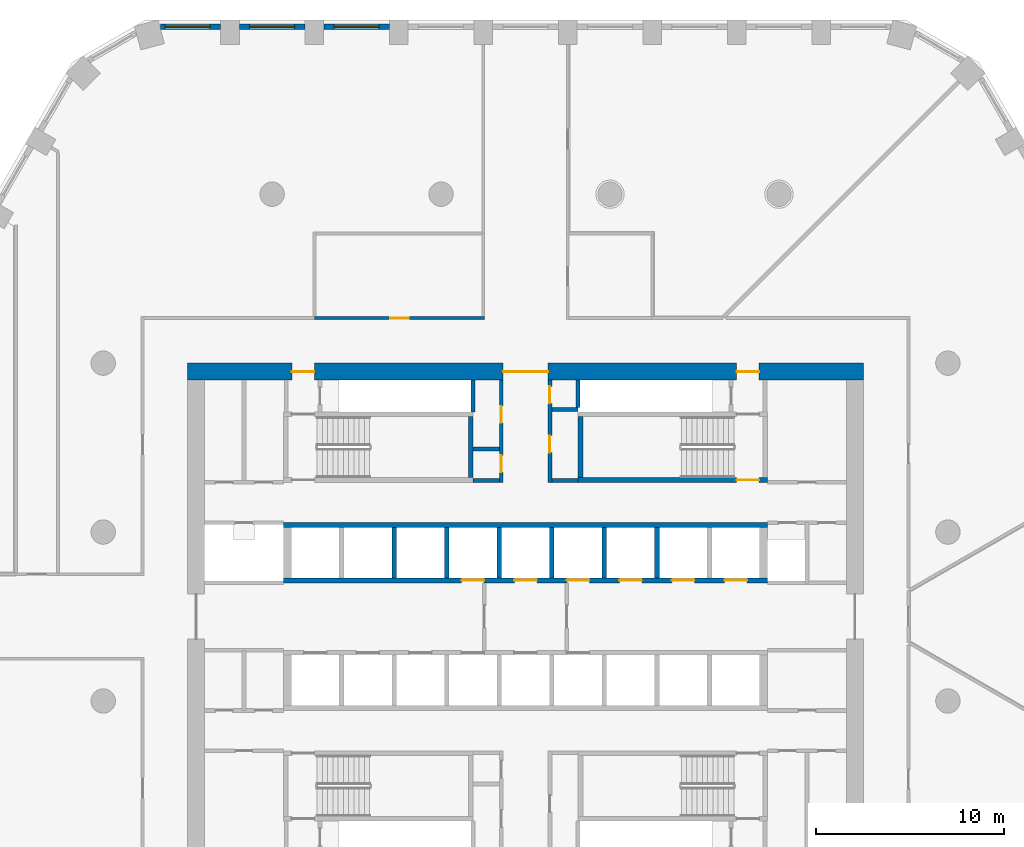
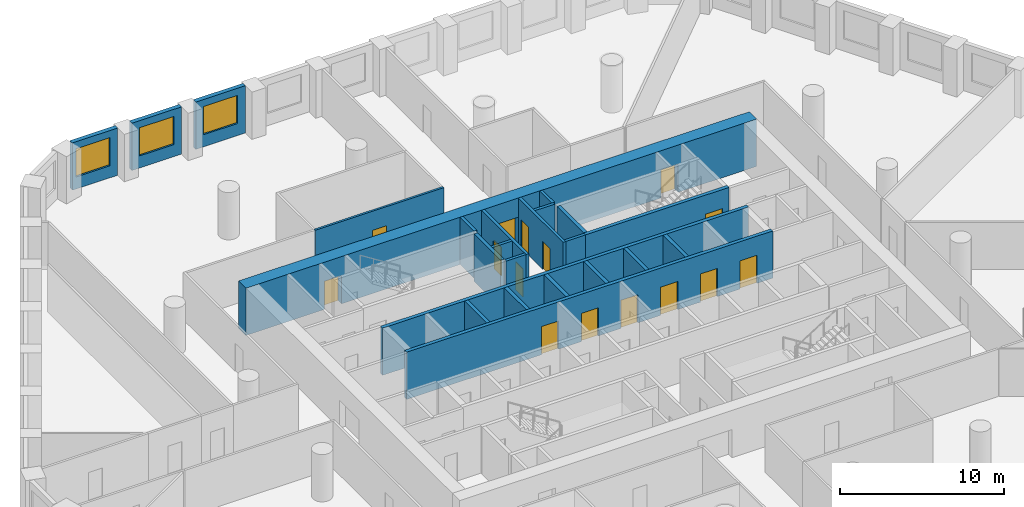
# One storey, part 6 of 14: 24 walls, 15 doors, 3 windows, 18 openings.
"""IFC4 building model written with IfcOpenShell, lengths in metres."""

from ifc_helpers import new_model, si_unit, direction, frame, frame_2d, origin, place, context, subcontext, project, spatial, polyline, rectangle, outline, extrude, material, layer, layer_set, type_object, element, fill, save


model = new_model("IFC4")

# Units and contexts
model_context = context("Model", 3, precision=1e-05, world=origin(), true_north=direction((0.0, 1.0)))
body_context = subcontext(model_context, "Body", "Model", "MODEL_VIEW")
ifc_project = project(units=[si_unit("LENGTHUNIT", "METRE"), si_unit("AREAUNIT", "SQUARE_METRE"), si_unit("VOLUMEUNIT", "CUBIC_METRE"), si_unit("PLANEANGLEUNIT", "RADIAN"), si_unit("MASSUNIT", "GRAM", prefix="KILO")], contexts=[model_context])

# Site, building, storey
site_placement = place(None, origin())
site = spatial("IfcSite", under=ifc_project, at=site_placement, CompositionType="ELEMENT")
building_placement = place(site_placement, origin())
building = spatial("IfcBuilding", under=site, at=building_placement, Name="Dhurran Vertical Campus", CompositionType="ELEMENT")
storey_placement = place(building_placement, frame((0.0, 0.0, 100.800048828125)))
storey = spatial("IfcBuildingStorey", under=building, at=storey_placement, Name="L24", CompositionType="ELEMENT", Elevation=100.800048828125)

# Wall, opening, window
ifc_material_1 = material(Name="Precast concrete C50/60", Category="concrete")
ifc_layer_1 = layer(ifc_material_1, 0.300048828125)
ifc_layer_set_1 = layer_set([ifc_layer_1], Name="Precast concrete C50/60")
wall_type_1 = type_object("IfcWallType", Name="Precast spandrel wall 300", PredefinedType="SOLIDWALL", material=ifc_layer_set_1)
wall_1_placement = place(storey_placement, frame((-7.25048828125, 31.4296875, 0.0), z_axis=(0.0, 0.0, 1.0), x_axis=(-1.0, 0.0, 0.0)))
wall_1 = element("IfcWall", 1, at=wall_1_placement, inside=storey, type_object=wall_type_1, Name="EW1 L24.32", PredefinedType="SOLIDWALL", context=body_context, shape_type="SweptSolid", body=[
    extrude(rectangle(XDim=3.4990234375, YDim=0.300048828125, at=frame_2d((1.74951171875, 0.0))), origin(), (0.0, 0.0, 1.0), 3.52490234375),
])
opening_1_placement = place(wall_1_placement, frame((0.549560546875, 0.0, 0.89990234375)))
opening_1 = element("IfcOpeningElement", 2, at=opening_1_placement, cuts=wall_1, Name="Opening WT1", PredefinedType="OPENING", context=body_context, shape_type="SweptSolid", body=[
    extrude(rectangle(XDim=2.39990234375, YDim=2.10009765625, at=frame_2d((1.199951171875, 1.050048828125))), frame((0.0, 0.159912109375, 0.0), z_axis=(0.0, -1.0, 0.0), x_axis=(1.0, 0.0, 0.0)), (0.0, 0.0, 1.0), 0.320068359375),
])
ifc_material_2 = material(Name="Aluminium frame with solar-control glass", Category="aluminium")
window_type = type_object("IfcWindowType", Name="Punched window 2400 x 2100", PartitioningType="SINGLE_PANEL", PredefinedType="WINDOW", material=ifc_material_2)
window_1_placement = place(opening_1_placement, origin())
window_1 = element("IfcWindow", 3, at=window_1_placement, inside=storey, type_object=window_type, Name="WT1 L24.32", OverallHeight=2.10009765625, OverallWidth=2.39990234375, PartitioningType="SINGLE_PANEL", PredefinedType="WINDOW", context=body_context, shape_type="SweptSolid", body=[
    extrude(rectangle(XDim=2.39990234375, YDim=2.10009765625, at=frame_2d((1.199951171875, 1.050048828125))), frame((0.0, 0.030029296875, 0.0), z_axis=(0.0, -1.0, 0.0), x_axis=(1.0, 0.0, 0.0)), (0.0, 0.0, 1.0), 0.06005859375),
])
fill(opening_1, window_1)

wall_2_placement = place(storey_placement, frame((-11.75048828125, 31.4296875, 0.0), z_axis=(0.0, 0.0, 1.0), x_axis=(-1.0, 0.0, 0.0)))
wall_2 = element("IfcWall", 4, at=wall_2_placement, inside=storey, type_object=wall_type_1, Name="EW1 L24.33", PredefinedType="SOLIDWALL", context=body_context, shape_type="SweptSolid", body=[
    extrude(rectangle(XDim=3.4990234375, YDim=0.300048828125, at=frame_2d((1.74951171875, 0.0))), origin(), (0.0, 0.0, 1.0), 3.52490234375),
])
opening_2_placement = place(wall_2_placement, frame((0.549560546875, 0.0, 0.89990234375)))
opening_2 = element("IfcOpeningElement", 5, at=opening_2_placement, cuts=wall_2, Name="Opening WT1", PredefinedType="OPENING", context=body_context, shape_type="SweptSolid", body=[
    extrude(rectangle(XDim=2.39990234375, YDim=2.10009765625, at=frame_2d((1.199951171875, 1.050048828125))), frame((0.0, 0.159912109375, 0.0), z_axis=(0.0, -1.0, 0.0), x_axis=(1.0, 0.0, 0.0)), (0.0, 0.0, 1.0), 0.320068359375),
])
window_2_placement = place(opening_2_placement, origin())
window_2 = element("IfcWindow", 6, at=window_2_placement, inside=storey, type_object=window_type, Name="WT1 L24.33", OverallHeight=2.10009765625, OverallWidth=2.39990234375, PartitioningType="SINGLE_PANEL", PredefinedType="WINDOW", context=body_context, shape_type="SweptSolid", body=[
    extrude(rectangle(XDim=2.39990234375, YDim=2.10009765625, at=frame_2d((1.199951171875, 1.050048828125))), frame((0.0, 0.030029296875, 0.0), z_axis=(0.0, -1.0, 0.0), x_axis=(1.0, 0.0, 0.0)), (0.0, 0.0, 1.0), 0.06005859375),
])
fill(opening_2, window_2)

wall_3_placement = place(storey_placement, frame((-16.25048828125, 31.4296875, 0.0), z_axis=(0.0, 0.0, 1.0), x_axis=(-1.0, 0.0, 0.0)))
wall_3 = element("IfcWall", 7, at=wall_3_placement, inside=storey, type_object=wall_type_1, Name="EW1 L24.34", PredefinedType="SOLIDWALL", context=body_context, shape_type="SweptSolid", body=[
    extrude(rectangle(XDim=3.1923828125, YDim=0.300048828125, at=frame_2d((1.59619140625, 0.0))), origin(), (0.0, 0.0, 1.0), 3.52490234375),
])
opening_3_placement = place(wall_3_placement, frame((0.549560546875, 0.0, 0.89990234375)))
opening_3 = element("IfcOpeningElement", 8, at=opening_3_placement, cuts=wall_3, Name="Opening WT1", PredefinedType="OPENING", context=body_context, shape_type="SweptSolid", body=[
    extrude(rectangle(XDim=2.39990234375, YDim=2.10009765625, at=frame_2d((1.199951171875, 1.050048828125))), frame((0.0, 0.159912109375, 0.0), z_axis=(0.0, -1.0, 0.0), x_axis=(1.0, 0.0, 0.0)), (0.0, 0.0, 1.0), 0.320068359375),
])
window_3_placement = place(opening_3_placement, origin())
window_3 = element("IfcWindow", 9, at=window_3_placement, inside=storey, type_object=window_type, Name="WT1 L24.34", OverallHeight=2.10009765625, OverallWidth=2.39990234375, PartitioningType="SINGLE_PANEL", PredefinedType="WINDOW", context=body_context, shape_type="SweptSolid", body=[
    extrude(rectangle(XDim=2.39990234375, YDim=2.10009765625, at=frame_2d((1.199951171875, 1.050048828125))), frame((0.0, 0.030029296875, 0.0), z_axis=(0.0, -1.0, 0.0), x_axis=(1.0, 0.0, 0.0)), (0.0, 0.0, 1.0), 0.06005859375),
])
fill(opening_3, window_3)

# Wall, openings, doors
ifc_material_3 = material(Name="Concrete C60/75", Category="concrete")
ifc_layer_2 = layer(ifc_material_3, 0.89990234375)
ifc_layer_set_2 = layer_set([ifc_layer_2], Name="Concrete C60/75")
wall_type_2 = type_object("IfcWallType", Name="co-CORE-WALL-C0-900", PredefinedType="SHEAR", material=ifc_layer_set_2)
wall_4_placement = place(storey_placement, frame((-18.0, 13.050048828125, 0.0), z_axis=(0.0, 0.0, 1.0), x_axis=(1.0, 0.0, 0.0)))
wall_4 = element("IfcWall", 10, at=wall_4_placement, inside=storey, type_object=wall_type_2, Name="Core wall N L24", PredefinedType="SHEAR", context=body_context, shape_type="SweptSolid", body=[
    extrude(rectangle(XDim=36.0, YDim=0.89990234375, at=frame_2d((18.0, 0.0))), origin(), (0.0, 0.0, 1.0), 3.52490234375),
])
opening_4_placement = place(wall_4_placement, frame((16.800048828125, 0.0, 0.0)))
opening_4 = element("IfcOpeningElement", 11, at=opening_4_placement, cuts=wall_4, Name="Opening CV1", PredefinedType="OPENING", context=body_context, shape_type="SweptSolid", body=[
    extrude(rectangle(XDim=2.39990234375, YDim=2.10009765625, at=frame_2d((1.199951171875, 1.050048828125))), frame((0.0, 0.4599609375, 0.0), z_axis=(0.0, -1.0, 0.0), x_axis=(1.0, 0.0, 0.0)), (0.0, 0.0, 1.0), 0.919921875),
])
opening_5_placement = place(wall_4_placement, frame((5.550048828125, 0.0, 0.0)))
opening_5 = element("IfcOpeningElement", 12, at=opening_5_placement, cuts=wall_4, Name="Opening XD1", PredefinedType="OPENING", context=body_context, shape_type="SweptSolid", body=[
    extrude(rectangle(XDim=1.199951171875, YDim=2.10009765625, at=frame_2d((0.60009765625, 1.050048828125))), frame((0.0, 0.4599609375, 0.0), z_axis=(0.0, -1.0, 0.0), x_axis=(1.0, 0.0, 0.0)), (0.0, 0.0, 1.0), 0.919921875),
])
opening_6_placement = place(wall_4_placement, frame((29.25, 0.0, 0.0)))
opening_6 = element("IfcOpeningElement", 13, at=opening_6_placement, cuts=wall_4, Name="Opening XD2", PredefinedType="OPENING", context=body_context, shape_type="SweptSolid", body=[
    extrude(rectangle(XDim=1.199951171875, YDim=2.10009765625, at=frame_2d((0.60009765625, 1.050048828125))), frame((0.0, 0.4599609375, 0.0), z_axis=(0.0, -1.0, 0.0), x_axis=(1.0, 0.0, 0.0)), (0.0, 0.0, 1.0), 0.919921875),
])
ifc_material_4 = material(Name="Fire-rated glazed door set")
door_type_1 = type_object("IfcDoorType", Name="co-D-LOBBY 2400x2100", OperationType="DOUBLE_DOOR_DOUBLE_SWING", PredefinedType="DOOR", material=ifc_material_4)
door_1_placement = place(opening_4_placement, origin())
door_1 = element("IfcDoor", 14, at=door_1_placement, inside=storey, type_object=door_type_1, Name="Core vestibule door N L24", OperationType="DOUBLE_DOOR_DOUBLE_SWING", OverallHeight=2.10009765625, OverallWidth=2.39990234375, PredefinedType="DOOR", context=body_context, shape_type="SweptSolid", body=[
    extrude(rectangle(XDim=2.39990234375, YDim=2.10009765625, at=frame_2d((1.199951171875, 1.050048828125))), frame((0.0, 0.02490234375, 0.0), z_axis=(0.0, -1.0, 0.0), x_axis=(1.0, 0.0, 0.0)), (0.0, 0.0, 1.0), 0.050048828125),
])
fill(opening_4, door_1)
ifc_material_5 = material(Name="Fire-rated steel door set", Category="steel")
door_type_2 = type_object("IfcDoorType", Name="co-D-STAIR-EXIT 1200x2100", OperationType="SINGLE_SWING_RIGHT", PredefinedType="DOOR", material=ifc_material_5)
door_2_placement = place(opening_5_placement, origin())
door_2 = element("IfcDoor", 15, at=door_2_placement, inside=storey, type_object=door_type_2, Name="Stair ST1 exit door L24", OperationType="SINGLE_SWING_RIGHT", OverallHeight=2.10009765625, OverallWidth=1.199951171875, PredefinedType="DOOR", context=body_context, shape_type="SweptSolid", body=[
    extrude(rectangle(XDim=1.199951171875, YDim=2.10009765625, at=frame_2d((0.60009765625, 1.050048828125))), frame((0.0, 0.02490234375, 0.0), z_axis=(0.0, -1.0, 0.0), x_axis=(1.0, 0.0, 0.0)), (0.0, 0.0, 1.0), 0.050048828125),
])
fill(opening_5, door_2)
door_3_placement = place(opening_6_placement, origin())
door_3 = element("IfcDoor", 16, at=door_3_placement, inside=storey, type_object=door_type_2, Name="Stair ST2 exit door L24", OperationType="SINGLE_SWING_RIGHT", OverallHeight=2.10009765625, OverallWidth=1.199951171875, PredefinedType="DOOR", context=body_context, shape_type="SweptSolid", body=[
    extrude(rectangle(XDim=1.199951171875, YDim=2.10009765625, at=frame_2d((0.60009765625, 1.050048828125))), frame((0.0, 0.02490234375, 0.0), z_axis=(0.0, -1.0, 0.0), x_axis=(1.0, 0.0, 0.0)), (0.0, 0.0, 1.0), 0.050048828125),
])
fill(opening_6, door_3)

# Walls
ifc_material_6 = material(Name="Fire-rated masonry blockwork", Category="masonry")
ifc_layer_3 = layer(ifc_material_6, 0.199951171875)
ifc_layer_set_3 = layer_set([ifc_layer_3], Name="Fire-rated masonry blockwork")
wall_type_3 = type_object("IfcWallType", Name="co-FIRE-PARTITION-200", PredefinedType="PARTITIONING", material=ifc_layer_set_3)
for number, where, z_axis, x_axis, name in (
    (17, (-2.800048828125, 7.25, 0.0), (0.0, 0.0, 1.0), (1.0, 0.0, 0.0), "Core partition sl-NW-S L24"),
    (18, (-2.800048828125, 8.925048828125, 0.0), (0.0, 0.0, 1.0), (1.0, 0.0, 0.0), "Core partition sl-NW-cut0 L24"),
    (19, (1.39990234375, 7.25, 0.0), (0.0, 0.0, 1.0), (1.0, 0.0, 0.0), "Core partition sl-NE-S L24"),
    (20, (1.39990234375, 11.02490234375, 0.0), (0.0, 0.0, 1.0), (1.0, 0.0, 0.0), "Core partition sl-NE-cut0 L24"),
):
    element("IfcWall", number, at=place(storey_placement, frame(where, z_axis=z_axis, x_axis=x_axis)), inside=storey, type_object=wall_type_3, Name=name, PredefinedType="PARTITIONING", context=body_context, shape_type="SweptSolid", body=[
        extrude(rectangle(XDim=1.400146484375, YDim=0.199951171875, at=frame_2d((0.7001953125, 0.0))), origin(), (0.0, 0.0, 1.0), 3.52490234375),
    ])

# Wall, openings, doors
wall_5_placement = place(storey_placement, frame((-1.300048828125, 7.14990234375, 0.0), z_axis=(0.0, 0.0, 1.0), x_axis=(0.0, 1.0, 0.0)))
wall_5 = element("IfcWall", 21, at=wall_5_placement, inside=storey, type_object=wall_type_3, Name="Core partition vest-NW L24", PredefinedType="PARTITIONING", context=body_context, shape_type="SweptSolid", body=[
    extrude(rectangle(XDim=5.4501953125, YDim=0.199951171875, at=frame_2d((2.72509765625, 0.0))), origin(), (0.0, 0.0, 1.0), 3.52490234375),
])
opening_7_placement = place(wall_5_placement, frame((0.53759765625, 0.0, 0.0)))
opening_7 = element("IfcOpeningElement", 22, at=opening_7_placement, cuts=wall_5, Name="Opening T06-C4", PredefinedType="OPENING", context=body_context, shape_type="SweptSolid", body=[
    extrude(rectangle(XDim=0.89990234375, YDim=2.10009765625, at=frame_2d((0.449951171875, 1.050048828125))), frame((0.0, 0.10986328125, 0.0), z_axis=(0.0, -1.0, 0.0), x_axis=(1.0, 0.0, 0.0)), (0.0, 0.0, 1.0), 0.219970703125),
])
opening_8_placement = place(wall_5_placement, frame((3.16259765625, 0.0, 0.0)))
opening_8 = element("IfcOpeningElement", 23, at=opening_8_placement, cuts=wall_5, Name="Opening T06-C5", PredefinedType="OPENING", context=body_context, shape_type="SweptSolid", body=[
    extrude(rectangle(XDim=0.89990234375, YDim=2.10009765625, at=frame_2d((0.449951171875, 1.050048828125))), frame((0.0, 0.10986328125, 0.0), z_axis=(0.0, -1.0, 0.0), x_axis=(1.0, 0.0, 0.0)), (0.0, 0.0, 1.0), 0.219970703125),
])
ifc_material_7 = material(Name="Fire-rated timber door set", Category="wood")
door_type_3 = type_object("IfcDoorType", Name="co-D-ROOM 900x2100", OperationType="SINGLE_SWING_LEFT", PredefinedType="DOOR", material=ifc_material_7)
door_4_placement = place(opening_7_placement, origin())
door_4 = element("IfcDoor", 24, at=door_4_placement, inside=storey, type_object=door_type_3, Name="Pantry door L24", OperationType="SINGLE_SWING_LEFT", OverallHeight=2.10009765625, OverallWidth=0.89990234375, PredefinedType="DOOR", context=body_context, shape_type="SweptSolid", body=[
    extrude(rectangle(XDim=0.89990234375, YDim=2.10009765625, at=frame_2d((0.449951171875, 1.050048828125))), frame((0.0, 0.02490234375, 0.0), z_axis=(0.0, -1.0, 0.0), x_axis=(1.0, 0.0, 0.0)), (0.0, 0.0, 1.0), 0.050048828125),
])
fill(opening_7, door_4)
door_5_placement = place(opening_8_placement, origin())
door_5 = element("IfcDoor", 25, at=door_5_placement, inside=storey, type_object=door_type_3, Name="Store door L24", OperationType="SINGLE_SWING_LEFT", OverallHeight=2.10009765625, OverallWidth=0.89990234375, PredefinedType="DOOR", context=body_context, shape_type="SweptSolid", body=[
    extrude(rectangle(XDim=0.89990234375, YDim=2.10009765625, at=frame_2d((0.449951171875, 1.050048828125))), frame((0.0, 0.02490234375, 0.0), z_axis=(0.0, -1.0, 0.0), x_axis=(1.0, 0.0, 0.0)), (0.0, 0.0, 1.0), 0.050048828125),
])
fill(opening_8, door_5)

wall_6_placement = place(storey_placement, frame((1.300048828125, 7.14990234375, 0.0), z_axis=(0.0, 0.0, 1.0), x_axis=(0.0, 1.0, 0.0)))
wall_6 = element("IfcWall", 26, at=wall_6_placement, inside=storey, type_object=wall_type_3, Name="Core partition vest-NE L24", PredefinedType="PARTITIONING", context=body_context, shape_type="SweptSolid", body=[
    extrude(rectangle(XDim=5.4501953125, YDim=0.199951171875, at=frame_2d((2.72509765625, 0.0))), origin(), (0.0, 0.0, 1.0), 3.52490234375),
])
opening_9_placement = place(wall_6_placement, frame((1.58740234375, 0.0, 0.0)))
opening_9 = element("IfcOpeningElement", 27, at=opening_9_placement, cuts=wall_6, Name="Opening T06-C6", PredefinedType="OPENING", context=body_context, shape_type="SweptSolid", body=[
    extrude(rectangle(XDim=0.89990234375, YDim=2.10009765625, at=frame_2d((0.449951171875, 1.050048828125))), frame((0.0, 0.10986328125, 0.0), z_axis=(0.0, -1.0, 0.0), x_axis=(1.0, 0.0, 0.0)), (0.0, 0.0, 1.0), 0.219970703125),
])
opening_10_placement = place(wall_6_placement, frame((4.21240234375, 0.0, 0.0)))
opening_10 = element("IfcOpeningElement", 28, at=opening_10_placement, cuts=wall_6, Name="Opening T06-C7", PredefinedType="OPENING", context=body_context, shape_type="SweptSolid", body=[
    extrude(rectangle(XDim=0.89990234375, YDim=2.10009765625, at=frame_2d((0.449951171875, 1.050048828125))), frame((0.0, 0.10986328125, 0.0), z_axis=(0.0, -1.0, 0.0), x_axis=(1.0, 0.0, 0.0)), (0.0, 0.0, 1.0), 0.219970703125),
])
door_6_placement = place(opening_9_placement, origin())
door_6 = element("IfcDoor", 29, at=door_6_placement, inside=storey, type_object=door_type_3, Name="Communications room door L24", OperationType="SINGLE_SWING_LEFT", OverallHeight=2.10009765625, OverallWidth=0.89990234375, PredefinedType="DOOR", context=body_context, shape_type="SweptSolid", body=[
    extrude(rectangle(XDim=0.89990234375, YDim=2.10009765625, at=frame_2d((0.449951171875, 1.050048828125))), frame((0.0, 0.02490234375, 0.0), z_axis=(0.0, -1.0, 0.0), x_axis=(1.0, 0.0, 0.0)), (0.0, 0.0, 1.0), 0.050048828125),
])
fill(opening_9, door_6)
door_7_placement = place(opening_10_placement, origin())
door_7 = element("IfcDoor", 30, at=door_7_placement, inside=storey, type_object=door_type_3, Name="Plant room door L24", OperationType="SINGLE_SWING_LEFT", OverallHeight=2.10009765625, OverallWidth=0.89990234375, PredefinedType="DOOR", context=body_context, shape_type="SweptSolid", body=[
    extrude(rectangle(XDim=0.89990234375, YDim=2.10009765625, at=frame_2d((0.449951171875, 1.050048828125))), frame((0.0, 0.02490234375, 0.0), z_axis=(0.0, -1.0, 0.0), x_axis=(1.0, 0.0, 0.0)), (0.0, 0.0, 1.0), 0.050048828125),
])
fill(opening_10, door_7)

# Walls
wall_7_placement = place(storey_placement, frame((-2.800048828125, 10.90087890625, 0.0), z_axis=(0.0, 0.0, 1.0), x_axis=(0.0, 1.0, 0.0)))
element("IfcWall", 31, at=wall_7_placement, inside=storey, type_object=wall_type_3, Name="Riser enclosure wall L24", PredefinedType="PARTITIONING", context=body_context, shape_type="SweptSolid", body=[
    extrude(rectangle(XDim=1.6982421875, YDim=0.199951171875, at=frame_2d((0.84912109375, 0.0))), origin(), (0.0, 0.0, 1.0), 3.52490234375),
])
wall_8_placement = place(storey_placement, frame((2.800048828125, 12.59912109375, 0.0), z_axis=(0.0, 0.0, 1.0), x_axis=(0.0, -1.0, 0.0)))
element("IfcWall", 32, at=wall_8_placement, inside=storey, type_object=wall_type_3, Name="Riser enclosure wall L24", PredefinedType="PARTITIONING", context=body_context, shape_type="SweptSolid", body=[
    extrude(rectangle(XDim=1.47314453125, YDim=0.199951171875, at=frame_2d((0.736572265625, 0.0))), origin(), (0.0, 0.0, 1.0), 3.52490234375),
])

# Wall, openings, doors
ifc_material_8 = material(Name="Concrete C50/60", Category="concrete")
ifc_layer_4 = layer(ifc_material_8, 0.25)
ifc_layer_set_4 = layer_set([ifc_layer_4], Name="Concrete C50/60")
wall_type_4 = type_object("IfcWallType", Name="co-SHAFT-FRONT-250", PredefinedType="SHEAR", material=ifc_layer_set_4)
wall_9_placement = place(storey_placement, frame((-12.89990234375, 1.925048828125, 0.0), z_axis=(0.0, 0.0, 1.0), x_axis=(1.0, 0.0, 0.0)))
wall_9 = element("IfcWall", 33, at=wall_9_placement, inside=storey, type_object=wall_type_4, Name="Lift landing wall N L24", PredefinedType="SHEAR", context=body_context, shape_type="SweptSolid", body=[
    extrude(rectangle(XDim=25.7998046875, YDim=0.25, at=frame_2d((12.89990234375, 0.0))), origin(), (0.0, 0.0, 1.0), 3.52490234375),
])
opening_11_placement = place(wall_9_placement, frame((9.5, 0.0, 0.0)))
opening_11 = element("IfcOpeningElement", 34, at=opening_11_placement, cuts=wall_9, Name="Opening LD", PredefinedType="OPENING", context=body_context, shape_type="SweptSolid", body=[
    extrude(rectangle(XDim=1.199951171875, YDim=2.10009765625, at=frame_2d((0.60009765625, 1.050048828125))), frame((0.0, 0.135009765625, 0.0), z_axis=(0.0, -1.0, 0.0), x_axis=(1.0, 0.0, 0.0)), (0.0, 0.0, 1.0), 0.27001953125),
])
opening_12_placement = place(wall_9_placement, frame((12.300048828125, 0.0, 0.0)))
opening_12 = element("IfcOpeningElement", 35, at=opening_12_placement, cuts=wall_9, Name="Opening LD", PredefinedType="OPENING", context=body_context, shape_type="SweptSolid", body=[
    extrude(rectangle(XDim=1.199951171875, YDim=2.10009765625, at=frame_2d((0.60009765625, 1.050048828125))), frame((0.0, 0.135009765625, 0.0), z_axis=(0.0, -1.0, 0.0), x_axis=(1.0, 0.0, 0.0)), (0.0, 0.0, 1.0), 0.27001953125),
])
opening_13_placement = place(wall_9_placement, frame((15.10009765625, 0.0, 0.0)))
opening_13 = element("IfcOpeningElement", 36, at=opening_13_placement, cuts=wall_9, Name="Opening LD", PredefinedType="OPENING", context=body_context, shape_type="SweptSolid", body=[
    extrude(rectangle(XDim=1.199951171875, YDim=2.10009765625, at=frame_2d((0.60009765625, 1.050048828125))), frame((0.0, 0.135009765625, 0.0), z_axis=(0.0, -1.0, 0.0), x_axis=(1.0, 0.0, 0.0)), (0.0, 0.0, 1.0), 0.27001953125),
])
opening_14_placement = place(wall_9_placement, frame((17.89990234375, 0.0, 0.0)))
opening_14 = element("IfcOpeningElement", 37, at=opening_14_placement, cuts=wall_9, Name="Opening LD", PredefinedType="OPENING", context=body_context, shape_type="SweptSolid", body=[
    extrude(rectangle(XDim=1.199951171875, YDim=2.10009765625, at=frame_2d((0.60009765625, 1.050048828125))), frame((0.0, 0.135009765625, 0.0), z_axis=(0.0, -1.0, 0.0), x_axis=(1.0, 0.0, 0.0)), (0.0, 0.0, 1.0), 0.27001953125),
])
opening_15_placement = place(wall_9_placement, frame((20.699951171875, 0.0, 0.0)))
opening_15 = element("IfcOpeningElement", 38, at=opening_15_placement, cuts=wall_9, Name="Opening LD", PredefinedType="OPENING", context=body_context, shape_type="SweptSolid", body=[
    extrude(rectangle(XDim=1.199951171875, YDim=2.10009765625, at=frame_2d((0.60009765625, 1.050048828125))), frame((0.0, 0.135009765625, 0.0), z_axis=(0.0, -1.0, 0.0), x_axis=(1.0, 0.0, 0.0)), (0.0, 0.0, 1.0), 0.27001953125),
])
opening_16_placement = place(wall_9_placement, frame((23.5, 0.0, 0.0)))
opening_16 = element("IfcOpeningElement", 39, at=opening_16_placement, cuts=wall_9, Name="Opening LD", PredefinedType="OPENING", context=body_context, shape_type="SweptSolid", body=[
    extrude(rectangle(XDim=1.199951171875, YDim=2.10009765625, at=frame_2d((0.60009765625, 1.050048828125))), frame((0.0, 0.135009765625, 0.0), z_axis=(0.0, -1.0, 0.0), x_axis=(1.0, 0.0, 0.0)), (0.0, 0.0, 1.0), 0.27001953125),
])
ifc_material_9 = material(Name="Stainless steel landing door", Category="steel")
door_type_4 = type_object("IfcDoorType", Name="co-D-LANDING 1200x2100", OperationType="DOUBLE_DOOR_SLIDING", PredefinedType="DOOR", material=ifc_material_9)
door_8_placement = place(opening_11_placement, origin())
door_8 = element("IfcDoor", 40, at=door_8_placement, inside=storey, type_object=door_type_4, Name="Landing door LR1 L24", OperationType="DOUBLE_DOOR_SLIDING", OverallHeight=2.10009765625, OverallWidth=1.199951171875, PredefinedType="DOOR", context=body_context, shape_type="SweptSolid", body=[
    extrude(rectangle(XDim=1.199951171875, YDim=2.10009765625, at=frame_2d((0.60009765625, 1.050048828125))), frame((0.0, 0.02490234375, 0.0), z_axis=(0.0, -1.0, 0.0), x_axis=(1.0, 0.0, 0.0)), (0.0, 0.0, 1.0), 0.050048828125),
])
fill(opening_11, door_8)
door_9_placement = place(opening_12_placement, origin())
door_9 = element("IfcDoor", 41, at=door_9_placement, inside=storey, type_object=door_type_4, Name="Landing door FF1 L24", OperationType="DOUBLE_DOOR_SLIDING", OverallHeight=2.10009765625, OverallWidth=1.199951171875, PredefinedType="DOOR", context=body_context, shape_type="SweptSolid", body=[
    extrude(rectangle(XDim=1.199951171875, YDim=2.10009765625, at=frame_2d((0.60009765625, 1.050048828125))), frame((0.0, 0.02490234375, 0.0), z_axis=(0.0, -1.0, 0.0), x_axis=(1.0, 0.0, 0.0)), (0.0, 0.0, 1.0), 0.050048828125),
])
fill(opening_12, door_9)
door_10_placement = place(opening_13_placement, origin())
door_10 = element("IfcDoor", 42, at=door_10_placement, inside=storey, type_object=door_type_4, Name="Landing door LR2 L24", OperationType="DOUBLE_DOOR_SLIDING", OverallHeight=2.10009765625, OverallWidth=1.199951171875, PredefinedType="DOOR", context=body_context, shape_type="SweptSolid", body=[
    extrude(rectangle(XDim=1.199951171875, YDim=2.10009765625, at=frame_2d((0.60009765625, 1.050048828125))), frame((0.0, 0.02490234375, 0.0), z_axis=(0.0, -1.0, 0.0), x_axis=(1.0, 0.0, 0.0)), (0.0, 0.0, 1.0), 0.050048828125),
])
fill(opening_13, door_10)
door_11_placement = place(opening_14_placement, origin())
door_11 = element("IfcDoor", 43, at=door_11_placement, inside=storey, type_object=door_type_4, Name="Landing door LR3 L24", OperationType="DOUBLE_DOOR_SLIDING", OverallHeight=2.10009765625, OverallWidth=1.199951171875, PredefinedType="DOOR", context=body_context, shape_type="SweptSolid", body=[
    extrude(rectangle(XDim=1.199951171875, YDim=2.10009765625, at=frame_2d((0.60009765625, 1.050048828125))), frame((0.0, 0.02490234375, 0.0), z_axis=(0.0, -1.0, 0.0), x_axis=(1.0, 0.0, 0.0)), (0.0, 0.0, 1.0), 0.050048828125),
])
fill(opening_14, door_11)
door_12_placement = place(opening_15_placement, origin())
door_12 = element("IfcDoor", 44, at=door_12_placement, inside=storey, type_object=door_type_4, Name="Landing door LR4 L24", OperationType="DOUBLE_DOOR_SLIDING", OverallHeight=2.10009765625, OverallWidth=1.199951171875, PredefinedType="DOOR", context=body_context, shape_type="SweptSolid", body=[
    extrude(rectangle(XDim=1.199951171875, YDim=2.10009765625, at=frame_2d((0.60009765625, 1.050048828125))), frame((0.0, 0.02490234375, 0.0), z_axis=(0.0, -1.0, 0.0), x_axis=(1.0, 0.0, 0.0)), (0.0, 0.0, 1.0), 0.050048828125),
])
fill(opening_15, door_12)
door_13_placement = place(opening_16_placement, origin())
door_13 = element("IfcDoor", 45, at=door_13_placement, inside=storey, type_object=door_type_4, Name="Landing door SV2 L24", OperationType="DOUBLE_DOOR_SLIDING", OverallHeight=2.10009765625, OverallWidth=1.199951171875, PredefinedType="DOOR", context=body_context, shape_type="SweptSolid", body=[
    extrude(rectangle(XDim=1.199951171875, YDim=2.10009765625, at=frame_2d((0.60009765625, 1.050048828125))), frame((0.0, 0.02490234375, 0.0), z_axis=(0.0, -1.0, 0.0), x_axis=(1.0, 0.0, 0.0)), (0.0, 0.0, 1.0), 0.050048828125),
])
fill(opening_16, door_13)

# Walls
ifc_material_10 = material(Name="Concrete C50/60", Category="concrete")
ifc_layer_5 = layer(ifc_material_10, 0.25)
ifc_layer_set_5 = layer_set([ifc_layer_5], Name="Concrete C50/60")
wall_type_5 = type_object("IfcWallType", Name="co-SHAFT-MASS-250", PredefinedType="SHEAR", material=ifc_layer_set_5)
wall_10_placement = place(storey_placement, origin())
element("IfcWall", 46, at=wall_10_placement, inside=storey, type_object=wall_type_5, Name="Lift shaft wall N L24 1", PredefinedType="SHEAR", context=body_context, shape_type="SweptSolid", body=[
    extrude(outline(polyline([(-12.89990234375, 4.75), (12.89990234375, 4.75), (12.89990234375, 5.0), (-12.89990234375, 5.0), (-12.89990234375, 4.75)])), origin(), (0.0, 0.0, 1.0), 3.52490234375),
])
wall_11_placement = place(storey_placement, origin())
element("IfcWall", 47, at=wall_11_placement, inside=storey, type_object=wall_type_5, Name="Lift shaft wall N L24 4", PredefinedType="SHEAR", context=body_context, shape_type="SweptSolid", body=[
    extrude(outline(polyline([(-7.125, 2.050048828125), (-6.875, 2.050048828125), (-6.875, 4.75), (-7.125, 4.75), (-7.125, 2.050048828125)])), origin(), (0.0, 0.0, 1.0), 3.52490234375),
])
wall_12_placement = place(storey_placement, origin())
element("IfcWall", 48, at=wall_12_placement, inside=storey, type_object=wall_type_5, Name="Lift shaft wall N L24 5", PredefinedType="SHEAR", context=body_context, shape_type="SweptSolid", body=[
    extrude(outline(polyline([(-4.324951171875, 2.050048828125), (-4.074951171875, 2.050048828125), (-4.074951171875, 4.75), (-4.324951171875, 4.75), (-4.324951171875, 2.050048828125)])), origin(), (0.0, 0.0, 1.0), 3.52490234375),
])
wall_13_placement = place(storey_placement, origin())
element("IfcWall", 49, at=wall_13_placement, inside=storey, type_object=wall_type_5, Name="Lift shaft wall N L24 6", PredefinedType="SHEAR", context=body_context, shape_type="SweptSolid", body=[
    extrude(outline(polyline([(-1.52490234375, 2.050048828125), (-1.27490234375, 2.050048828125), (-1.27490234375, 4.75), (-1.52490234375, 4.75), (-1.52490234375, 2.050048828125)])), origin(), (0.0, 0.0, 1.0), 3.52490234375),
])
wall_14_placement = place(storey_placement, origin())
element("IfcWall", 50, at=wall_14_placement, inside=storey, type_object=wall_type_5, Name="Lift shaft wall N L24 7", PredefinedType="SHEAR", context=body_context, shape_type="SweptSolid", body=[
    extrude(outline(polyline([(1.27490234375, 2.050048828125), (1.52490234375, 2.050048828125), (1.52490234375, 4.75), (1.27490234375, 4.75), (1.27490234375, 2.050048828125)])), origin(), (0.0, 0.0, 1.0), 3.52490234375),
])
wall_15_placement = place(storey_placement, origin())
element("IfcWall", 51, at=wall_15_placement, inside=storey, type_object=wall_type_5, Name="Lift shaft wall N L24 8", PredefinedType="SHEAR", context=body_context, shape_type="SweptSolid", body=[
    extrude(outline(polyline([(4.074951171875, 2.050048828125), (4.324951171875, 2.050048828125), (4.324951171875, 4.75), (4.074951171875, 4.75), (4.074951171875, 2.050048828125)])), origin(), (0.0, 0.0, 1.0), 3.52490234375),
])
wall_16_placement = place(storey_placement, origin())
element("IfcWall", 52, at=wall_16_placement, inside=storey, type_object=wall_type_5, Name="Lift shaft wall N L24 9", PredefinedType="SHEAR", context=body_context, shape_type="SweptSolid", body=[
    extrude(outline(polyline([(6.875, 2.050048828125), (7.125, 2.050048828125), (7.125, 4.75), (6.875, 4.75), (6.875, 2.050048828125)])), origin(), (0.0, 0.0, 1.0), 3.52490234375),
])
ifc_material_11 = material(Name="Concrete C40/50", Category="concrete")
ifc_layer_6 = layer(ifc_material_11, 0.25)
ifc_layer_set_6 = layer_set([ifc_layer_6], Name="Concrete C40/50")
wall_type_6 = type_object("IfcWallType", Name="co-STAIR-WALL-250", PredefinedType="SHEAR", material=ifc_layer_set_6)
wall_17_placement = place(storey_placement, frame((-2.925048828125, 7.39990234375, 0.0), z_axis=(0.0, 0.0, 1.0), x_axis=(0.0, 1.0, 0.0)))
element("IfcWall", 53, at=wall_17_placement, inside=storey, type_object=wall_type_6, Name="Stair ST1 enclosure wall L24", PredefinedType="SHEAR", context=body_context, shape_type="SweptSolid", body=[
    extrude(rectangle(XDim=3.25, YDim=0.25, at=frame_2d((1.625, 0.0))), origin(), (0.0, 0.0, 1.0), 3.52490234375),
])

# Wall, opening, door
wall_18_placement = place(storey_placement, frame((2.800048828125, 7.27490234375, 0.0), z_axis=(0.0, 0.0, 1.0), x_axis=(1.0, 0.0, 0.0)))
wall_18 = element("IfcWall", 54, at=wall_18_placement, inside=storey, type_object=wall_type_6, Name="Stair ST2 enclosure wall L24", PredefinedType="SHEAR", context=body_context, shape_type="SweptSolid", body=[
    extrude(rectangle(XDim=10.099853515625, YDim=0.25, at=frame_2d((5.0498046875, 0.0))), origin(), (0.0, 0.0, 1.0), 3.52490234375),
])
opening_17_placement = place(wall_18_placement, frame((8.449951171875, 0.0, 0.0)))
opening_17 = element("IfcOpeningElement", 55, at=opening_17_placement, cuts=wall_18, Name="Opening SD2", PredefinedType="OPENING", context=body_context, shape_type="SweptSolid", body=[
    extrude(rectangle(XDim=1.199951171875, YDim=2.10009765625, at=frame_2d((0.60009765625, 1.050048828125))), frame((0.0, 0.135009765625, 0.0), z_axis=(0.0, -1.0, 0.0), x_axis=(1.0, 0.0, 0.0)), (0.0, 0.0, 1.0), 0.27001953125),
])
ifc_material_12 = material(Name="Fire-rated steel door set", Category="steel")
door_type_5 = type_object("IfcDoorType", Name="co-D-STAIR 1200x2100", OperationType="SINGLE_SWING_LEFT", PredefinedType="DOOR", material=ifc_material_12)
door_14_placement = place(opening_17_placement, origin())
door_14 = element("IfcDoor", 56, at=door_14_placement, inside=storey, type_object=door_type_5, Name="Stair ST2 door L24", OperationType="SINGLE_SWING_LEFT", OverallHeight=2.10009765625, OverallWidth=1.199951171875, PredefinedType="DOOR", context=body_context, shape_type="SweptSolid", body=[
    extrude(rectangle(XDim=1.199951171875, YDim=2.10009765625, at=frame_2d((0.60009765625, 1.050048828125))), frame((0.0, 0.02490234375, 0.0), z_axis=(0.0, -1.0, 0.0), x_axis=(1.0, 0.0, 0.0)), (0.0, 0.0, 1.0), 0.050048828125),
])
fill(opening_17, door_14)

# Wall
wall_19_placement = place(storey_placement, frame((2.925048828125, 7.39990234375, 0.0), z_axis=(0.0, 0.0, 1.0), x_axis=(0.0, 1.0, 0.0)))
element("IfcWall", 57, at=wall_19_placement, inside=storey, type_object=wall_type_6, Name="Stair ST2 enclosure wall L24", PredefinedType="SHEAR", context=body_context, shape_type="SweptSolid", body=[
    extrude(rectangle(XDim=3.25, YDim=0.25, at=frame_2d((1.625, 0.0))), origin(), (0.0, 0.0, 1.0), 3.52490234375),
])

# Wall, opening, door
ifc_material_13 = material(Name="Gypsum board corridor wall on steel studs", Category="steel")
ifc_layer_7 = layer(ifc_material_13, 0.14990234375)
ifc_layer_set_7 = layer_set([ifc_layer_7], Name="Gypsum board corridor wall on steel studs")
wall_type_7 = type_object("IfcWallType", Name="fl-CW-150 corridor wall", PredefinedType="PARTITIONING", material=ifc_layer_set_7)
wall_20_placement = place(storey_placement, frame((-2.175048828125, 15.89990234375, 0.0), z_axis=(0.0, 0.0, 1.0), x_axis=(-1.0, 0.0, 0.0)))
wall_20 = element("IfcWall", 58, at=wall_20_placement, inside=storey, type_object=wall_type_7, Name="Partition 24-22", PredefinedType="PARTITIONING", context=body_context, shape_type="SweptSolid", body=[
    extrude(rectangle(XDim=9.074951171875, YDim=0.14990234375, at=frame_2d((4.53759765625, 0.0))), origin(), (0.0, 0.0, 1.0), 3.52490234375),
])
opening_18_placement = place(wall_20_placement, frame((4.03759765625, 0.0, 0.0)))
opening_18 = element("IfcOpeningElement", 59, at=opening_18_placement, cuts=wall_20, Name="Opening T06.09", PredefinedType="OPENING", context=body_context, shape_type="SweptSolid", body=[
    extrude(rectangle(XDim=1.0, YDim=2.10009765625, at=frame_2d((0.5, 1.050048828125))), frame((0.0, 0.0849609375, 0.0), z_axis=(0.0, -1.0, 0.0), x_axis=(1.0, 0.0, 0.0)), (0.0, 0.0, 1.0), 0.169921875),
])
ifc_material_14 = material(Name="Solid-core timber door set, fire-rated", Category="wood")
door_type_6 = type_object("IfcDoorType", Name="fl-D-1000x2100", OperationType="SINGLE_SWING_LEFT", PredefinedType="DOOR", material=ifc_material_14)
door_15_placement = place(opening_18_placement, origin())
door_15 = element("IfcDoor", 60, at=door_15_placement, inside=storey, type_object=door_type_6, Name="Door 24.09", OperationType="SINGLE_SWING_RIGHT", OverallHeight=2.10009765625, OverallWidth=1.0, PredefinedType="DOOR", context=body_context, shape_type="SweptSolid", body=[
    extrude(rectangle(XDim=1.0, YDim=2.10009765625, at=frame_2d((0.5, 1.050048828125))), frame((0.0, 0.02490234375, 0.0), z_axis=(0.0, -1.0, 0.0), x_axis=(1.0, 0.0, 0.0)), (0.0, 0.0, 1.0), 0.050048828125),
])
fill(opening_18, door_15)

save(model, "model.ifc")
